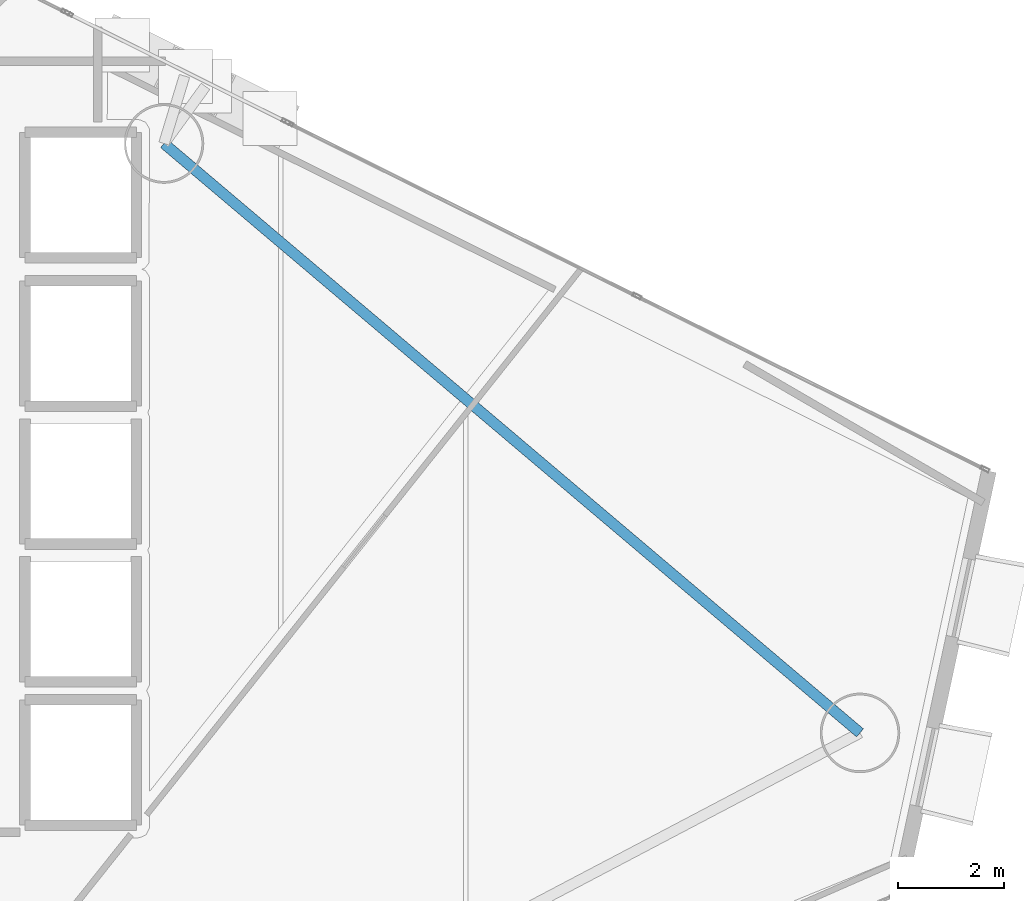
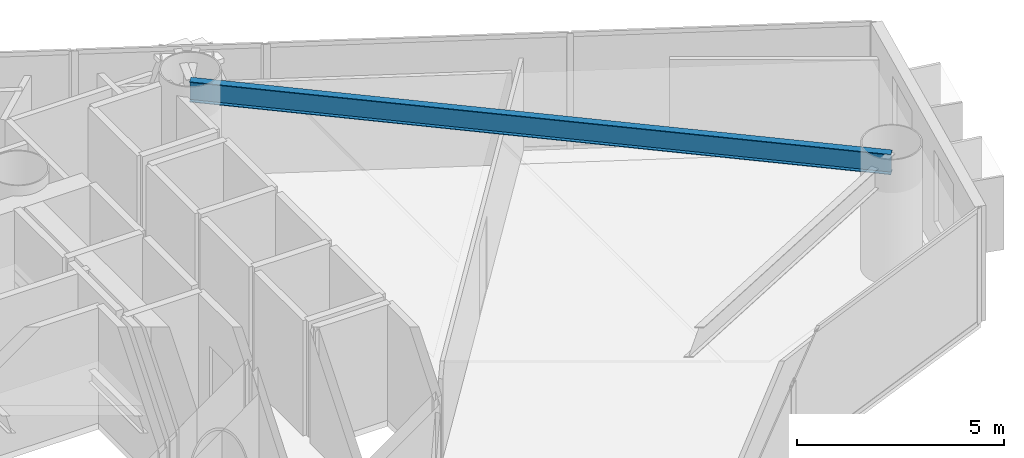
# One storey, part 10 of 22: 1 beam.
"""IFC4 building model written with IfcOpenShell, lengths in metres."""

from ifc_helpers import new_model, si_unit, direction, frame, origin, origin_2d, place, context, subcontext, project, spatial, i_section, extrude, material, material_profile, profile_set, type_object, element, save


model = new_model("IFC4")

# Units and contexts
model_context = context("Model", 3, precision=1e-05, world=origin(), true_north=direction((0.0, 1.0)))
body_context = subcontext(model_context, "Body", "Model", "MODEL_VIEW")
ifc_project = project(units=[si_unit("LENGTHUNIT", "METRE"), si_unit("AREAUNIT", "SQUARE_METRE"), si_unit("VOLUMEUNIT", "CUBIC_METRE"), si_unit("PLANEANGLEUNIT", "RADIAN"), si_unit("MASSUNIT", "GRAM", prefix="KILO")], contexts=[model_context])

# Site, building, storey
site_placement = place(None, origin())
site = spatial("IfcSite", under=ifc_project, at=site_placement, CompositionType="ELEMENT")
building_placement = place(site_placement, origin())
building = spatial("IfcBuilding", under=site, at=building_placement, Name="Qianvela Tower", CompositionType="ELEMENT")
storey_placement = place(building_placement, frame((0.0, 0.0, 134.800048828125)))
storey = spatial("IfcBuildingStorey", under=building, at=storey_placement, Name="L34", CompositionType="ELEMENT", Elevation=134.800048828125)

# Beam
ifc_material = material(Name="Steel Q355B", Category="steel")
ifc_material_profile = material_profile(ifc_material, i_section(OverallWidth=0.199951171875, OverallDepth=0.60009765625, WebThickness=0.010986328125, FlangeThickness=0.01708984375, at=origin_2d()), Name="HN600x200x11x17")
ifc_profile_set = profile_set([ifc_material_profile], Name="Steel Q355B")
beam_type = type_object("IfcBeamType", Name="BM-HN600-GIRD", PredefinedType="BEAM", material=ifc_profile_set)
beam_placement = place(storey_placement, frame((57.194091796875, 23.9580078125, 3.097900390625), z_axis=(-0.763158437154, 0.646211420358, 0.0), x_axis=(-0.646211420358, -0.763158437154, 0.0)))
element("IfcBeam", 1, at=beam_placement, inside=storey, type_object=beam_type, Name="L34 Perimeter Ring Spandrel Girder 1", PredefinedType="BEAM", context=body_context, shape_type="SweptSolid", body=[
    extrude(i_section(OverallWidth=0.199951171875, OverallDepth=0.60009765625, WebThickness=0.010986328125, FlangeThickness=0.01708984375, at=origin_2d()), origin(), (0.0, 0.0, 1.0), 17.19580078125),
])

save(model, "model.ifc")
